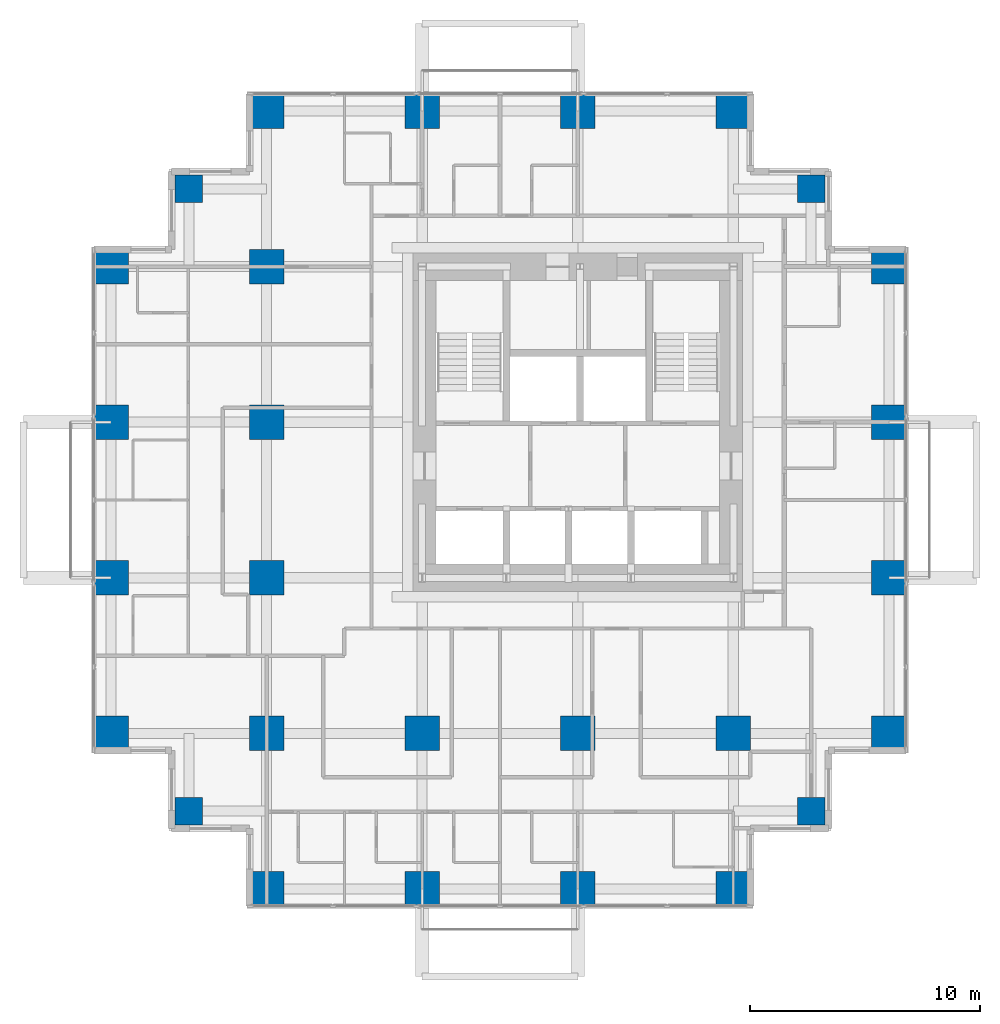
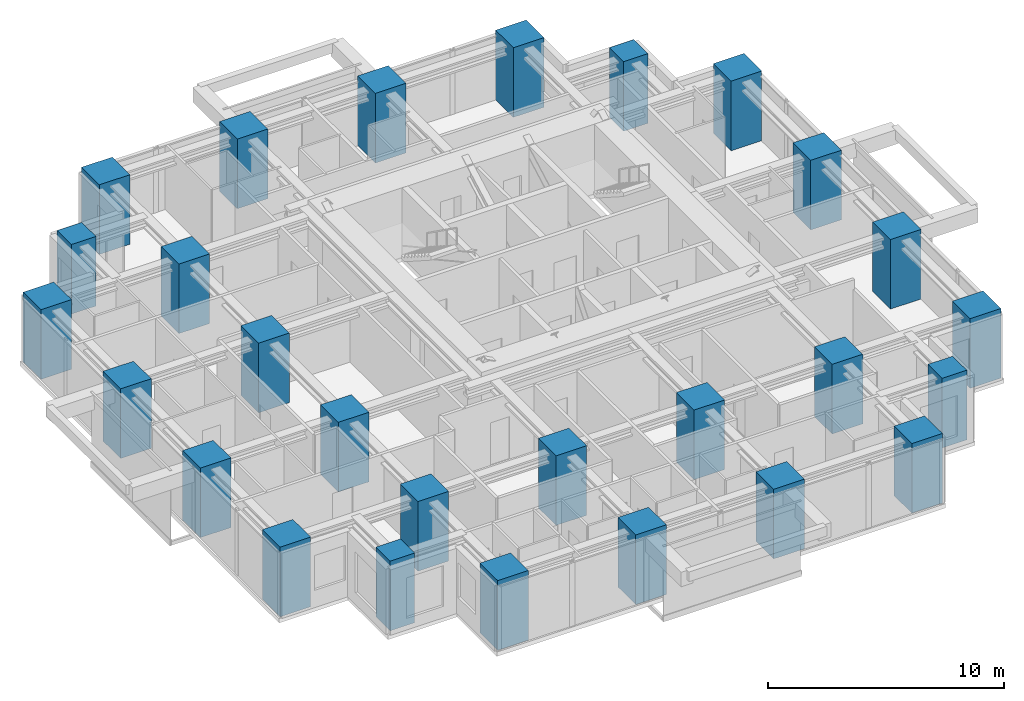
# One storey, part 1 of 10: 27 columns.
"""IFC4 building model written with IfcOpenShell, lengths in metres."""

import ifcopenshell
import ifcopenshell.guid

model = None  # the IFC model being written
_history = None  # IfcOwnerHistory: only IFC2X3 demands one
_inside = {}  # id of a spatial element -> (the spatial element, [elements in it])
_under = {}  # id of a project, library or spatial element -> (it, [spatial elements below it])
_declared = {}  # id of a project -> (the project, [libraries it declares])
_typed = {}  # id of a type object -> (the type object, [elements of that type])
_made_of = {}  # id of a material, layer set ... -> (it, [elements and type objects made of it])


def new_model(schema):
    """Start an empty IFC model of exactly this schema.

    Asked for "IFC4X3", IfcOpenShell would pick the latest addendum, in which some entities
    have other attributes; the version numbers below select the first issue.
    IFC2X3 requires an IfcOwnerHistory on every rooted entity: one is made here for all.
    """
    global model, _history
    if schema == "IFC4X3":
        model = ifcopenshell.file(schema_version=(4, 3, 0, 0))
    else:
        model = ifcopenshell.file(schema=schema)
    _inside.clear()
    _under.clear()
    _declared.clear()
    _typed.clear()
    _made_of.clear()
    _history = None
    if model.schema == "IFC2X3":
        org = make("IfcOrganization", Name="unknown")
        user = make(
            "IfcPersonAndOrganization",
            ThePerson=make("IfcPerson", FamilyName="unknown"),
            TheOrganization=org,
        )
        app = make(
            "IfcApplication",
            ApplicationDeveloper=org,
            Version="unknown",
            ApplicationFullName="unknown",
            ApplicationIdentifier="unknown",
        )
        _history = make(
            "IfcOwnerHistory",
            OwningUser=user,
            OwningApplication=app,
            ChangeAction="ADDED",
            CreationDate=0,
        )
    return model


def make(cls, **values):
    """One entity of the class cls with the attributes given. An attribute that is None is left unset."""
    return model.create_entity(
        cls, **{name: value for name, value in values.items() if value is not None}
    )


def rooted(cls, **values):
    """An entity with a GlobalId (a new one), such as an element, a storey or a relation."""
    return make(cls, GlobalId=ifcopenshell.guid.new(), OwnerHistory=_history, **values)


def si_unit(unit_type, name, prefix=None):
    """IfcSIUnit, for example si_unit("LENGTHUNIT", "METRE", prefix="MILLI")."""
    return make("IfcSIUnit", UnitType=unit_type, Prefix=prefix, Name=name)


def assignment(units):
    """IfcUnitAssignment: the units of a project."""
    return None if units is None else make("IfcUnitAssignment", Units=units)


def point(xyz):
    """IfcCartesianPoint."""
    return None if xyz is None else make("IfcCartesianPoint", Coordinates=xyz)


def direction(xyz):
    """IfcDirection."""
    return None if xyz is None else make("IfcDirection", DirectionRatios=xyz)


def frame(location, z_axis=None, x_axis=None):
    """IfcAxis2Placement3D, a coordinate frame: its origin and axes. An axis left out is left unset."""
    return make(
        "IfcAxis2Placement3D",
        Location=point(location),
        Axis=direction(z_axis),
        RefDirection=direction(x_axis),
    )


def frame_2d(location, x_axis=None):
    """IfcAxis2Placement2D, a coordinate frame in the plane: its origin and x axis."""
    return make(
        "IfcAxis2Placement2D", Location=point(location), RefDirection=direction(x_axis)
    )


def origin():
    """The frame at (0, 0, 0) with its axes left unset."""
    return frame((0.0, 0.0, 0.0))


def origin_2d():
    """The frame at (0, 0) in the plane with its x axis left unset."""
    return frame_2d((0.0, 0.0))


def place(relative_to, where):
    """IfcLocalPlacement: puts the frame where relative to a parent placement (None: the world)."""
    return make(
        "IfcLocalPlacement", PlacementRelTo=relative_to, RelativePlacement=where
    )


def context(
    kind, dimensions, precision=None, world=None, true_north=None, identifier=None
):
    """IfcGeometricRepresentationContext, for example the 3D "Model" context."""
    return make(
        "IfcGeometricRepresentationContext",
        ContextIdentifier=identifier,
        ContextType=kind,
        CoordinateSpaceDimension=dimensions,
        Precision=precision,
        WorldCoordinateSystem=world,
        TrueNorth=true_north,
    )


def subcontext(parent, identifier, kind, view, scale=None):
    """IfcGeometricRepresentationSubContext, for example "Body" below "Model"."""
    return make(
        "IfcGeometricRepresentationSubContext",
        ContextIdentifier=identifier,
        ContextType=kind,
        ParentContext=parent,
        TargetScale=scale,
        TargetView=view,
    )


def project(units=None, contexts=None):
    """IfcProject with its units and contexts."""
    return rooted(
        "IfcProject",
        Name="project",
        RepresentationContexts=contexts,
        UnitsInContext=assignment(units),
    )


def spatial(cls, under=None, at=None, **own):
    """A site, building, storey or space (cls), placed at a placement, below another one or the project."""
    s = rooted(cls, ObjectPlacement=at, **own)
    if under is not None:
        _under.setdefault(under.id(), (under, []))[1].append(s)
    return s


def profile(cls, at=None, kind="AREA", **sizes):
    """A parametric profile (cls). Its sizes go by their IFC names, for example OverallWidth=200.0."""
    return make(cls, ProfileType=kind, Position=at, **sizes)


def rectangle(**sizes):
    """IfcRectangleProfileDef."""
    return profile("IfcRectangleProfileDef", **sizes)


def extrude(swept, where, along, depth):
    """IfcExtrudedAreaSolid: the profile swept, set in the frame where, extruded along a direction by depth."""
    return make(
        "IfcExtrudedAreaSolid",
        SweptArea=swept,
        Position=where,
        ExtrudedDirection=direction(along),
        Depth=depth,
    )


def shape(context_of_items, identifier, shape_type, items):
    """IfcShapeRepresentation: the items that make up one representation, for example the "Body"."""
    return make(
        "IfcShapeRepresentation",
        ContextOfItems=context_of_items,
        RepresentationIdentifier=identifier,
        RepresentationType=shape_type,
        Items=items,
    )


def material(Name=None, Category=None):
    """IfcMaterial."""
    return make("IfcMaterial", Name=Name, Category=Category)


def material_profile(
    of_material, cross_section, Name=None, Category=None, Priority=None
):
    """IfcMaterialProfile: a cross section and its material."""
    return make(
        "IfcMaterialProfile",
        Name=Name,
        Material=of_material,
        Profile=cross_section,
        Priority=Priority,
        Category=Category,
    )


def profile_set(profiles, Name=None, composite=None):
    """IfcMaterialProfileSet."""
    return make(
        "IfcMaterialProfileSet",
        Name=Name,
        MaterialProfiles=profiles,
        CompositeProfile=composite,
    )


def made_of(thing, what):
    """Note that an element or type object is made of a material, layer set ...; save() writes the relation."""
    if what is not None:
        _made_of.setdefault(what.id(), (what, []))[1].append(thing)
    return thing


def type_object(cls, material=None, **own):
    """A type object (cls), such as IfcWallType, which elements share."""
    return made_of(rooted(cls, **own), material)


def element(
    cls,
    number,
    at=None,
    inside=None,
    cuts=None,
    type_object=None,
    material=None,
    context=None,
    identifier="Body",
    shape_type=None,
    held_by="IfcProductDefinitionShape",
    body=None,
    shapes=None,
    **own,
):
    """One element of the class cls, such as IfcWall. Its Tag is "e" and its number.

    at: its placement. inside: the storey or other place that contains it. cuts: it is an
    opening in that element (IfcRelVoidsElement). A single representation is given by context,
    identifier, shape_type and body (its items); several are given by shapes. held_by: the class
    of the entity that holds the representations. save() writes the other relations.
    """
    e = rooted(cls, Tag="e%d" % number, ObjectPlacement=at, **own)
    if body is not None:
        shapes = [shape(context, identifier, shape_type, body)]
    if shapes is not None:
        e.Representation = make(held_by, Representations=shapes)
    if inside is not None:
        _inside.setdefault(inside.id(), (inside, []))[1].append(e)
    if cuts is not None:
        rooted(
            "IfcRelVoidsElement", RelatingBuildingElement=cuts, RelatedOpeningElement=e
        )
    if type_object is not None:
        _typed.setdefault(type_object.id(), (type_object, []))[1].append(e)
    return made_of(e, material)


def aggregate(whole, parts):
    """IfcRelAggregates: a whole, such as a stair, and the parts it consists of."""
    return rooted("IfcRelAggregates", RelatingObject=whole, RelatedObjects=parts)


def save(model, path):
    """Write the relations noted so far, then the file.

    IfcRelAggregates (storeys below a building ...), IfcRelContainedInSpatialStructure (elements
    in a storey), IfcRelDefinesByType, IfcRelAssociatesMaterial and IfcRelDeclares: one each for
    every whole, place, type object, material and project.
    """
    for whole, parts in _under.values():
        aggregate(whole, parts)
    for where, things in _inside.values():
        rooted(
            "IfcRelContainedInSpatialStructure",
            RelatedElements=things,
            RelatingStructure=where,
        )
    for kind, things in _typed.values():
        rooted("IfcRelDefinesByType", RelatedObjects=things, RelatingType=kind)
    for what, things in _made_of.values():
        rooted("IfcRelAssociatesMaterial", RelatedObjects=things, RelatingMaterial=what)
    for by, libraries in _declared.values():
        rooted("IfcRelDeclares", RelatingContext=by, RelatedDefinitions=libraries)
    model.write(path)


model = new_model("IFC4")

# Units and contexts
model_context = context("Model", 3, precision=1e-05, world=origin(), true_north=direction((0.0, 1.0)))
body_context = subcontext(model_context, "Body", "Model", "MODEL_VIEW")
ifc_project = project(units=[si_unit("LENGTHUNIT", "METRE"), si_unit("AREAUNIT", "SQUARE_METRE"), si_unit("VOLUMEUNIT", "CUBIC_METRE"), si_unit("PLANEANGLEUNIT", "RADIAN"), si_unit("MASSUNIT", "GRAM", prefix="KILO")], contexts=[model_context])

# Site, building, storey
site_placement = place(None, origin())
site = spatial("IfcSite", under=ifc_project, at=site_placement, CompositionType="ELEMENT")
building_placement = place(site_placement, origin())
building = spatial("IfcBuilding", under=site, at=building_placement, Name="Nyansa Garden Tower", CompositionType="ELEMENT")
storey_placement = place(building_placement, frame((0.0, 0.0, 153.0)))
storey = spatial("IfcBuildingStorey", under=building, at=storey_placement, Name="L41", CompositionType="ELEMENT", Elevation=153.0)

# Columns
ifc_material_1 = material(Name="Concrete C70/85", Category="concrete")
ifc_material_profile_1 = material_profile(ifc_material_1, rectangle(XDim=1.199951171875, YDim=1.199951171875, at=origin_2d()), Name="RC 1200x1200")
ifc_profile_set_1 = profile_set([ifc_material_profile_1], Name="Concrete C70/85")
column_type_1 = type_object("IfcColumnType", Name="Column C120 RC 1200x1200", PredefinedType="COLUMN", material=ifc_profile_set_1)
for number, where, z_axis, x_axis, name in (
    (1, (3.375, 3.375, 0.0), (0.0, 0.0, 1.0), (1.0, 0.0, 0.0), "Column x3.375/y3.375 L41"),
    (2, (3.375, 30.375, 0.0), (0.0, 0.0, 1.0), (1.0, 0.0, 0.0), "Column x3.375/y30.375 L41"),
    (3, (30.375, 3.375, 0.0), (0.0, 0.0, 1.0), (1.0, 0.0, 0.0), "Column x30.375/y3.375 L41"),
    (4, (30.375, 30.375, 0.0), (0.0, 0.0, 1.0), (1.0, 0.0, 0.0), "Column x30.375/y30.375 L41"),
):
    element("IfcColumn", number, at=place(storey_placement, frame(where, z_axis=z_axis, x_axis=x_axis)), inside=storey, type_object=column_type_1, Name=name, PredefinedType="COLUMN", context=body_context, shape_type="SweptSolid", body=[
        extrude(rectangle(XDim=1.199951171875, YDim=1.199951171875, at=origin_2d()), origin(), (0.0, 0.0, 1.0), 3.60009765625),
    ])
ifc_material_2 = material(Name="Concrete C80/95", Category="concrete")
ifc_material_profile_2 = material_profile(ifc_material_2, rectangle(XDim=1.5, YDim=1.5, at=origin_2d()), Name="RC 1500x1500")
ifc_profile_set_2 = profile_set([ifc_material_profile_2], Name="Concrete C80/95")
column_type_2 = type_object("IfcColumnType", Name="Column C150 RC 1500x1500", PredefinedType="COLUMN", material=ifc_profile_set_2)
for number, where, z_axis, x_axis, name in (
    (5, (0.0, 6.75, 0.0), (0.0, 0.0, 1.0), (1.0, 0.0, 0.0), "Column 2/E L41"),
    (6, (0.0, 13.5, 0.0), (0.0, 0.0, 1.0), (1.0, 0.0, 0.0), "Column 2/F L41"),
    (7, (0.0, 20.25, 0.0), (0.0, 0.0, 1.0), (1.0, 0.0, 0.0), "Column 2/G L41"),
    (8, (0.0, 27.0, 0.0), (0.0, 0.0, 1.0), (1.0, 0.0, 0.0), "Column 2/H L41"),
    (9, (6.75, 0.0, 0.0), (0.0, 0.0, 1.0), (1.0, 0.0, 0.0), "Column 3/D L41"),
    (10, (6.75, 6.75, 0.0), (0.0, 0.0, 1.0), (1.0, 0.0, 0.0), "Column 3/E L41"),
    (11, (6.75, 13.5, 0.0), (0.0, 0.0, 1.0), (1.0, 0.0, 0.0), "Column 3/F L41"),
    (12, (6.75, 20.25, 0.0), (0.0, 0.0, 1.0), (1.0, 0.0, 0.0), "Column 3/G L41"),
    (13, (6.75, 27.0, 0.0), (0.0, 0.0, 1.0), (1.0, 0.0, 0.0), "Column 3/H L41"),
    (14, (6.75, 33.75, 0.0), (0.0, 0.0, 1.0), (1.0, 0.0, 0.0), "Column 3/J L41"),
    (15, (13.5, 0.0, 0.0), (0.0, 0.0, 1.0), (1.0, 0.0, 0.0), "Column 4/D L41"),
    (16, (13.5, 6.75, 0.0), (0.0, 0.0, 1.0), (1.0, 0.0, 0.0), "Column 4/E L41"),
    (17, (13.5, 33.75, 0.0), (0.0, 0.0, 1.0), (1.0, 0.0, 0.0), "Column 4/J L41"),
    (18, (20.25, 0.0, 0.0), (0.0, 0.0, 1.0), (1.0, 0.0, 0.0), "Column 5/D L41"),
    (19, (20.25, 6.75, 0.0), (0.0, 0.0, 1.0), (1.0, 0.0, 0.0), "Column 5/E L41"),
    (20, (20.25, 33.75, 0.0), (0.0, 0.0, 1.0), (1.0, 0.0, 0.0), "Column 5/J L41"),
    (21, (27.0, 0.0, 0.0), (0.0, 0.0, 1.0), (1.0, 0.0, 0.0), "Column 6/D L41"),
    (22, (27.0, 6.75, 0.0), (0.0, 0.0, 1.0), (1.0, 0.0, 0.0), "Column 6/E L41"),
    (23, (27.0, 33.75, 0.0), (0.0, 0.0, 1.0), (1.0, 0.0, 0.0), "Column 6/J L41"),
    (24, (33.75, 6.75, 0.0), (0.0, 0.0, 1.0), (1.0, 0.0, 0.0), "Column 7/E L41"),
    (25, (33.75, 13.5, 0.0), (0.0, 0.0, 1.0), (1.0, 0.0, 0.0), "Column 7/F L41"),
    (26, (33.75, 20.25, 0.0), (0.0, 0.0, 1.0), (1.0, 0.0, 0.0), "Column 7/G L41"),
    (27, (33.75, 27.0, 0.0), (0.0, 0.0, 1.0), (1.0, 0.0, 0.0), "Column 7/H L41"),
):
    element("IfcColumn", number, at=place(storey_placement, frame(where, z_axis=z_axis, x_axis=x_axis)), inside=storey, type_object=column_type_2, Name=name, PredefinedType="COLUMN", context=body_context, shape_type="SweptSolid", body=[
        extrude(rectangle(XDim=1.5, YDim=1.5, at=origin_2d()), origin(), (0.0, 0.0, 1.0), 3.60009765625),
    ])

save(model, "model.ifc")
